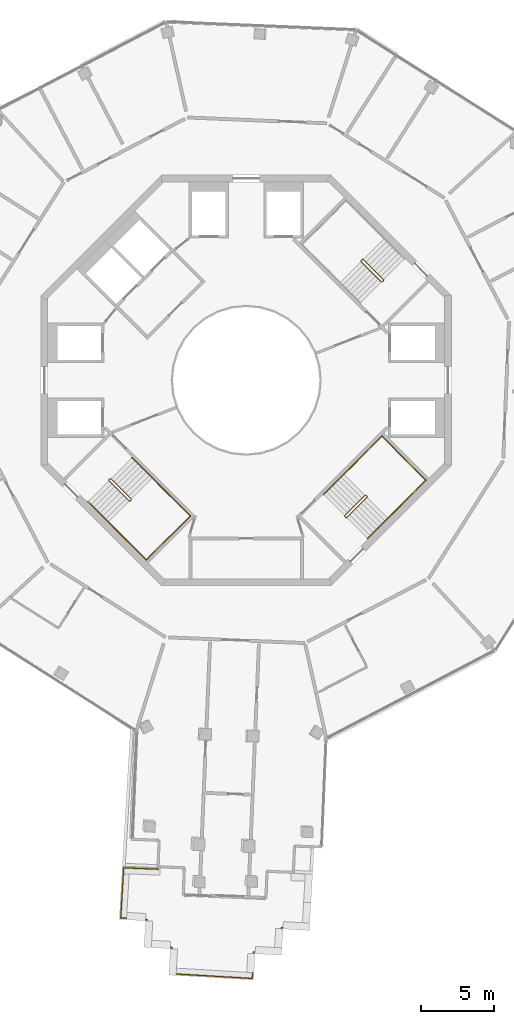
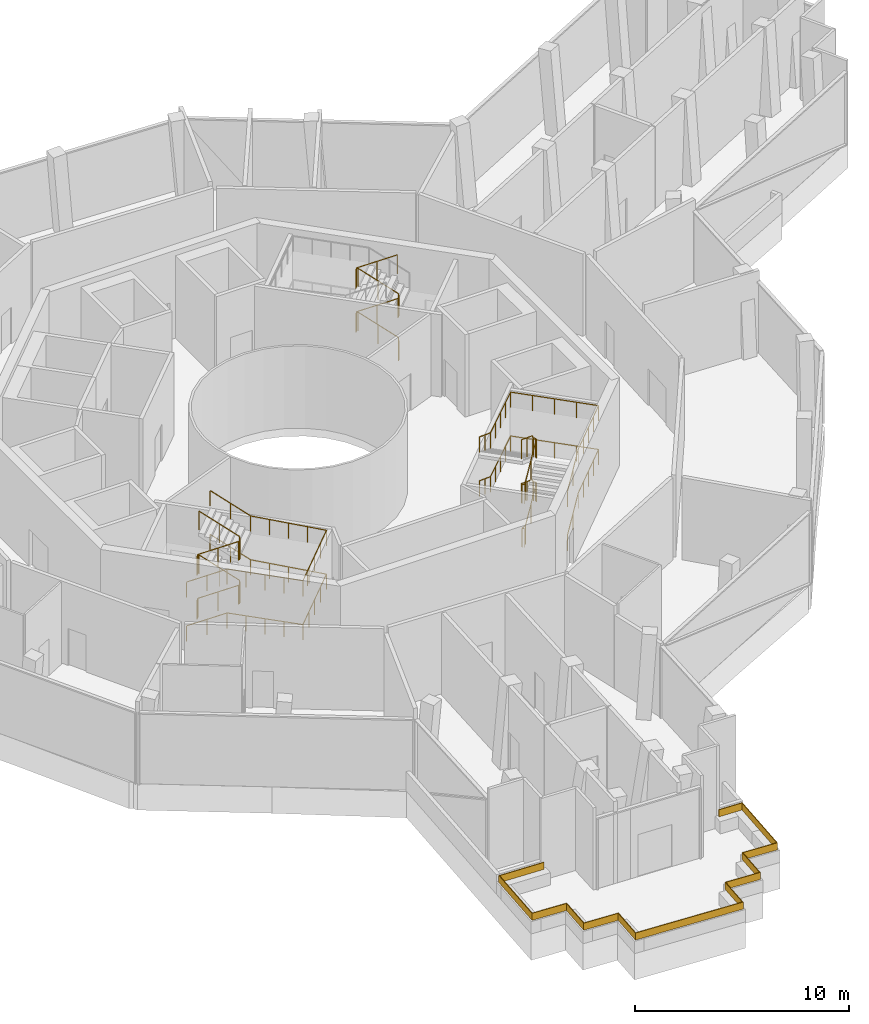
# One storey, part 20 of 21: 8 railings.
"""IFC4 building model written with IfcOpenShell, lengths in metres."""

from ifc_helpers import new_model, si_unit, direction, frame, origin, origin_2d, place, context, subcontext, project, spatial, polyline, circle, outline, extrude, material, layer, layer_set, type_object, element, save


model = new_model("IFC4")

# Units and contexts
model_context = context("Model", 3, precision=1e-05, world=origin(), true_north=direction((0.0, 1.0)))
body_context = subcontext(model_context, "Body", "Model", "MODEL_VIEW")
ifc_project = project(units=[si_unit("LENGTHUNIT", "METRE"), si_unit("AREAUNIT", "SQUARE_METRE"), si_unit("VOLUMEUNIT", "CUBIC_METRE"), si_unit("PLANEANGLEUNIT", "RADIAN"), si_unit("MASSUNIT", "GRAM", prefix="KILO")], contexts=[model_context])

# Site, building, storey
site_placement = place(None, origin())
site = spatial("IfcSite", under=ifc_project, at=site_placement, CompositionType="ELEMENT")
building_placement = place(site_placement, origin())
building = spatial("IfcBuilding", under=site, at=building_placement, Name="Verdalira Terraces Hotel", CompositionType="ELEMENT")
storey_placement = place(building_placement, frame((0.0, 0.0, 269.0)))
storey = spatial("IfcBuildingStorey", under=building, at=storey_placement, Name="L66", CompositionType="ELEMENT", Elevation=269.0)

# Railings
ifc_material_1 = material(Name="Laminated glass", Category="glass")
ifc_layer = layer(ifc_material_1, 0.0400390625)
ifc_layer_set = layer_set([ifc_layer], Name="Balcony glass guard 400")
railing_type_1 = type_object("IfcRailingType", Name="Balcony glass guard 400", PredefinedType="GUARDRAIL", material=ifc_layer_set)
railing_1_placement = place(storey_placement, frame((0.0, 0.0, 0.699951)))
element("IfcRailing", 1, at=railing_1_placement, inside=storey, type_object=railing_type_1, Name="Balcony glass guard", PredefinedType="GUARDRAIL", context=body_context, shape_type="SweptSolid", body=[
    extrude(outline(polyline([(-8.346436, -33.305176), (-8.544922, -36.685547), (-6.747803, -36.791016), (-6.853516, -38.587891), (-5.056396, -38.693359), (-5.161865, -40.490234), (0.388428, -40.816162), (0.493896, -39.019287), (2.290771, -39.124756), (2.39624, -37.327881), (4.193359, -37.43335), (4.297852, -35.65332), (4.404297, -33.8396), (3.201172, -33.789062), (3.202881, -33.749023), (4.446533, -33.80127), (4.337646, -35.655762), (4.230957, -37.475586), (2.433838, -37.370117), (2.328369, -39.166992), (0.531494, -39.061523), (0.426025, -40.858398), (-5.204346, -40.527832), (-5.098877, -38.730957), (-6.895752, -38.625488), (-6.790283, -36.828613), (-8.587158, -36.723145), (-8.384033, -33.263428), (-6.015625, -33.362793), (-6.017334, -33.402588), (-8.346436, -33.305176)])), origin(), (0.0, 0.0, 1.0), 0.400146),
])
ifc_material_2 = material(Name="Stainless steel", Category="steel")
railing_type_2 = type_object("IfcRailingType", Name="Stair guard 1100", PredefinedType="GUARDRAIL", material=ifc_material_2)
railing_2_placement = place(storey_placement, frame((9.369141, 6.78833, 0.0)))
element("IfcRailing", 2, at=railing_2_placement, inside=storey, type_object=railing_type_2, Name="L66 ST1 stair guard 1", PredefinedType="GUARDRAIL", context=body_context, shape_type="SweptSolid", body=[
    extrude(circle(Radius=0.023926, at=origin_2d()), frame((0.0, 0.0, 1.076172), z_axis=(-0.707106781, -0.707106781, 0.0), x_axis=(0.707106781, -0.707106781, 0.0)), (0.0, 0.0, 1.0), 0.100098),
    extrude(circle(Radius=0.023926, at=origin_2d()), frame((-0.070801, -0.070801, 1.076172), z_axis=(0.318519619, 0.635940894, 0.702939849), x_axis=(-0.894118129, 0.447831187, 0.0)), (0.0, 0.0, 1.0), 0.222168),
    extrude(circle(Radius=0.023926, at=origin_2d()), frame((0.0, 0.070557, 1.232422), z_axis=(-0.61747733, 0.61747733, 0.48728174), x_axis=(-0.707106781, -0.707106781, 0.0)), (0.0, 0.0, 1.0), 2.244629),
    extrude(circle(Radius=0.023926, at=origin_2d()), frame((-1.385986, 1.456543, 2.326172), z_axis=(-1.0, 0.0, 0.0), x_axis=(0.0, -1.0, 0.0)), (0.0, 0.0, 1.0), 0.070557),
    extrude(circle(Radius=0.023926, at=origin_2d()), frame((-1.456543, 1.456543, 2.326172), z_axis=(-0.707106781, -0.707106781, 0.0), x_axis=(0.707106781, -0.707106781, 0.0)), (0.0, 0.0, 1.0), 0.100098),
    extrude(circle(Radius=0.023926, at=origin_2d()), frame((-1.527344, 1.385742, 2.326172), z_axis=(0.0, -0.411548567, 0.91138783), x_axis=(1.0, 0.0, 0.0)), (0.0, 0.0, 1.0), 0.171387),
    extrude(circle(Radius=0.023926, at=origin_2d()), frame((-1.527344, 1.315186, 2.482422), z_axis=(0.61747733, -0.61747733, 0.48728174), x_axis=(0.707106781, 0.707106781, 0.0)), (0.0, 0.0, 1.0), 2.244629),
    extrude(circle(Radius=0.023926, at=origin_2d()), frame((-0.141357, -0.070801, 3.576172), z_axis=(1.0, 0.0, 0.0), x_axis=(0.0, 1.0, 0.0)), (0.0, 0.0, 1.0), 0.070557),
    extrude(circle(Radius=0.023926, at=origin_2d()), frame((-0.070801, -0.070801, 3.576172), z_axis=(0.707106781, 0.707106781, 0.0), x_axis=(-0.707106781, 0.707106781, 0.0)), (0.0, 0.0, 1.0), 0.100098),
    extrude(circle(Radius=0.023926, at=origin_2d()), frame((0.0, 0.0, 3.576172), z_axis=(0.0, 0.411548567, 0.91138783), x_axis=(-1.0, 0.0, 0.0)), (0.0, 0.0, 1.0), 0.171387),
    extrude(circle(Radius=0.023926, at=origin_2d()), frame((0.0, 0.070557, 3.732422), z_axis=(-0.61747733, 0.61747733, 0.48728174), x_axis=(-0.707106781, -0.707106781, 0.0)), (0.0, 0.0, 1.0), 2.244629),
    extrude(circle(Radius=0.023926, at=origin_2d()), frame((-1.385986, 1.456543, 4.826172), z_axis=(-1.0, 0.0, 0.0), x_axis=(0.0, -1.0, 0.0)), (0.0, 0.0, 1.0), 0.070557),
    extrude(circle(Radius=0.023926, at=origin_2d()), frame((-1.456543, 1.456543, 4.826172), z_axis=(-0.707106781, -0.707106781, 0.0), x_axis=(0.707106781, -0.707106781, 0.0)), (0.0, 0.0, 1.0), 0.100098),
    extrude(circle(Radius=0.023926, at=origin_2d()), frame((-1.527344, 1.385742, 4.826172), z_axis=(0.0, -0.411548567, 0.91138783), x_axis=(1.0, 0.0, 0.0)), (0.0, 0.0, 1.0), 0.171387),
    extrude(circle(Radius=0.023926, at=origin_2d()), frame((-1.527344, 1.315186, 4.982422), z_axis=(0.61747733, -0.61747733, 0.48728174), x_axis=(0.707106781, 0.707106781, 0.0)), (0.0, 0.0, 1.0), 2.244629),
    extrude(circle(Radius=0.020996, at=origin_2d()), origin(), (0.0, 0.0, 1.0), 1.052002),
    extrude(circle(Radius=0.020996, at=origin_2d()), frame((-0.070801, -0.070801, 0.0)), (0.0, 0.0, 1.0), 1.052002),
    extrude(circle(Radius=0.020996, at=origin_2d()), frame((0.0, 0.070557, 0.15625)), (0.0, 0.0, 1.0), 1.052002),
    extrude(circle(Radius=0.020996, at=origin_2d()), frame((-0.692871, 0.763672, 0.703125)), (0.0, 0.0, 1.0), 1.052002),
    extrude(circle(Radius=0.020996, at=origin_2d()), frame((-1.385986, 1.456543, 1.25)), (0.0, 0.0, 1.0), 1.052002),
    extrude(circle(Radius=0.020996, at=origin_2d()), frame((-1.456543, 1.456543, 1.25)), (0.0, 0.0, 1.0), 1.052002),
    extrude(circle(Radius=0.020996, at=origin_2d()), frame((-1.527344, 1.385742, 1.25)), (0.0, 0.0, 1.0), 1.052002),
    extrude(circle(Radius=0.020996, at=origin_2d()), frame((-1.527344, 1.315186, 1.40625)), (0.0, 0.0, 1.0), 1.052002),
    extrude(circle(Radius=0.020996, at=origin_2d()), frame((-0.834473, 0.62207, 1.953125)), (0.0, 0.0, 1.0), 1.052002),
    extrude(circle(Radius=0.020996, at=origin_2d()), frame((-0.141357, -0.070801, 2.5)), (0.0, 0.0, 1.0), 1.052002),
    extrude(circle(Radius=0.020996, at=origin_2d()), frame((-0.070801, -0.070801, 2.5)), (0.0, 0.0, 1.0), 1.052002),
    extrude(circle(Radius=0.020996, at=origin_2d()), frame((0.0, 0.0, 2.5)), (0.0, 0.0, 1.0), 1.052002),
    extrude(circle(Radius=0.020996, at=origin_2d()), frame((0.0, 0.070557, 2.65625)), (0.0, 0.0, 1.0), 1.052002),
    extrude(circle(Radius=0.020996, at=origin_2d()), frame((-0.692871, 0.763672, 3.203125)), (0.0, 0.0, 1.0), 1.052002),
    extrude(circle(Radius=0.020996, at=origin_2d()), frame((-1.385986, 1.456543, 3.75)), (0.0, 0.0, 1.0), 1.052002),
    extrude(circle(Radius=0.020996, at=origin_2d()), frame((-1.456543, 1.456543, 3.75)), (0.0, 0.0, 1.0), 1.052002),
    extrude(circle(Radius=0.020996, at=origin_2d()), frame((-1.527344, 1.385742, 3.75)), (0.0, 0.0, 1.0), 1.052002),
    extrude(circle(Radius=0.020996, at=origin_2d()), frame((-1.527344, 1.315186, 3.90625)), (0.0, 0.0, 1.0), 1.052002),
    extrude(circle(Radius=0.020996, at=origin_2d()), frame((-0.834473, 0.62207, 4.453125)), (0.0, 0.0, 1.0), 1.052002),
    extrude(circle(Radius=0.020996, at=origin_2d()), frame((-0.141357, -0.070801, 5.0)), (0.0, 0.0, 1.0), 1.052002),
])
railing_3_placement = place(storey_placement, frame((-9.369141, -6.78833, 0.0)))
element("IfcRailing", 3, at=railing_3_placement, inside=storey, type_object=railing_type_2, Name="L66 ST2 stair guard 1", PredefinedType="GUARDRAIL", context=body_context, shape_type="SweptSolid", body=[
    extrude(circle(Radius=0.023926, at=origin_2d()), frame((0.0, 0.0, 1.076172), z_axis=(0.707106781, 0.707106781, 0.0), x_axis=(-0.707106781, 0.707106781, 0.0)), (0.0, 0.0, 1.0), 0.100098),
    extrude(circle(Radius=0.023926, at=origin_2d()), frame((0.070801, 0.070801, 1.076172), z_axis=(-0.318519619, -0.635940894, 0.702939849), x_axis=(0.894118129, -0.447831187, 0.0)), (0.0, 0.0, 1.0), 0.222168),
    extrude(circle(Radius=0.023926, at=origin_2d()), frame((0.0, -0.070557, 1.232422), z_axis=(0.61747733, -0.61747733, 0.48728174), x_axis=(0.707106781, 0.707106781, 0.0)), (0.0, 0.0, 1.0), 2.244629),
    extrude(circle(Radius=0.023926, at=origin_2d()), frame((1.385986, -1.456543, 2.326172), z_axis=(1.0, 0.0, 0.0), x_axis=(0.0, 1.0, 0.0)), (0.0, 0.0, 1.0), 0.070557),
    extrude(circle(Radius=0.023926, at=origin_2d()), frame((1.456543, -1.456543, 2.326172), z_axis=(0.707106781, 0.707106781, 0.0), x_axis=(-0.707106781, 0.707106781, 0.0)), (0.0, 0.0, 1.0), 0.100098),
    extrude(circle(Radius=0.023926, at=origin_2d()), frame((1.527344, -1.385742, 2.326172), z_axis=(0.0, 0.411548567, 0.91138783), x_axis=(-1.0, 0.0, 0.0)), (0.0, 0.0, 1.0), 0.171387),
    extrude(circle(Radius=0.023926, at=origin_2d()), frame((1.527344, -1.315186, 2.482422), z_axis=(-0.61747733, 0.61747733, 0.48728174), x_axis=(-0.707106781, -0.707106781, 0.0)), (0.0, 0.0, 1.0), 2.244629),
    extrude(circle(Radius=0.023926, at=origin_2d()), frame((0.141357, 0.070801, 3.576172), z_axis=(-1.0, 0.0, 0.0), x_axis=(0.0, -1.0, 0.0)), (0.0, 0.0, 1.0), 0.070557),
    extrude(circle(Radius=0.023926, at=origin_2d()), frame((0.070801, 0.070801, 3.576172), z_axis=(-0.707106781, -0.707106781, 0.0), x_axis=(0.707106781, -0.707106781, 0.0)), (0.0, 0.0, 1.0), 0.100098),
    extrude(circle(Radius=0.023926, at=origin_2d()), frame((0.0, 0.0, 3.576172), z_axis=(0.0, -0.411548567, 0.91138783), x_axis=(1.0, 0.0, 0.0)), (0.0, 0.0, 1.0), 0.171387),
    extrude(circle(Radius=0.023926, at=origin_2d()), frame((0.0, -0.070557, 3.732422), z_axis=(0.61747733, -0.61747733, 0.48728174), x_axis=(0.707106781, 0.707106781, 0.0)), (0.0, 0.0, 1.0), 2.244629),
    extrude(circle(Radius=0.023926, at=origin_2d()), frame((1.385986, -1.456543, 4.826172), z_axis=(1.0, 0.0, 0.0), x_axis=(0.0, 1.0, 0.0)), (0.0, 0.0, 1.0), 0.070557),
    extrude(circle(Radius=0.023926, at=origin_2d()), frame((1.456543, -1.456543, 4.826172), z_axis=(0.707106781, 0.707106781, 0.0), x_axis=(-0.707106781, 0.707106781, 0.0)), (0.0, 0.0, 1.0), 0.100098),
    extrude(circle(Radius=0.023926, at=origin_2d()), frame((1.527344, -1.385742, 4.826172), z_axis=(0.0, 0.411548567, 0.91138783), x_axis=(-1.0, 0.0, 0.0)), (0.0, 0.0, 1.0), 0.171387),
    extrude(circle(Radius=0.023926, at=origin_2d()), frame((1.527344, -1.315186, 4.982422), z_axis=(-0.61747733, 0.61747733, 0.48728174), x_axis=(-0.707106781, -0.707106781, 0.0)), (0.0, 0.0, 1.0), 2.244629),
    extrude(circle(Radius=0.020996, at=origin_2d()), origin(), (0.0, 0.0, 1.0), 1.052002),
    extrude(circle(Radius=0.020996, at=origin_2d()), frame((0.070801, 0.070801, 0.0)), (0.0, 0.0, 1.0), 1.052002),
    extrude(circle(Radius=0.020996, at=origin_2d()), frame((0.0, -0.070557, 0.15625)), (0.0, 0.0, 1.0), 1.052002),
    extrude(circle(Radius=0.020996, at=origin_2d()), frame((0.692871, -0.763672, 0.703125)), (0.0, 0.0, 1.0), 1.052002),
    extrude(circle(Radius=0.020996, at=origin_2d()), frame((1.385986, -1.456543, 1.25)), (0.0, 0.0, 1.0), 1.052002),
    extrude(circle(Radius=0.020996, at=origin_2d()), frame((1.456543, -1.456543, 1.25)), (0.0, 0.0, 1.0), 1.052002),
    extrude(circle(Radius=0.020996, at=origin_2d()), frame((1.527344, -1.385742, 1.25)), (0.0, 0.0, 1.0), 1.052002),
    extrude(circle(Radius=0.020996, at=origin_2d()), frame((1.527344, -1.315186, 1.40625)), (0.0, 0.0, 1.0), 1.052002),
    extrude(circle(Radius=0.020996, at=origin_2d()), frame((0.834473, -0.62207, 1.953125)), (0.0, 0.0, 1.0), 1.052002),
    extrude(circle(Radius=0.020996, at=origin_2d()), frame((0.141357, 0.070801, 2.5)), (0.0, 0.0, 1.0), 1.052002),
    extrude(circle(Radius=0.020996, at=origin_2d()), frame((0.070801, 0.070801, 2.5)), (0.0, 0.0, 1.0), 1.052002),
    extrude(circle(Radius=0.020996, at=origin_2d()), frame((0.0, 0.0, 2.5)), (0.0, 0.0, 1.0), 1.052002),
    extrude(circle(Radius=0.020996, at=origin_2d()), frame((0.0, -0.070557, 2.65625)), (0.0, 0.0, 1.0), 1.052002),
    extrude(circle(Radius=0.020996, at=origin_2d()), frame((0.692871, -0.763672, 3.203125)), (0.0, 0.0, 1.0), 1.052002),
    extrude(circle(Radius=0.020996, at=origin_2d()), frame((1.385986, -1.456543, 3.75)), (0.0, 0.0, 1.0), 1.052002),
    extrude(circle(Radius=0.020996, at=origin_2d()), frame((1.456543, -1.456543, 3.75)), (0.0, 0.0, 1.0), 1.052002),
    extrude(circle(Radius=0.020996, at=origin_2d()), frame((1.527344, -1.385742, 3.75)), (0.0, 0.0, 1.0), 1.052002),
    extrude(circle(Radius=0.020996, at=origin_2d()), frame((1.527344, -1.315186, 3.90625)), (0.0, 0.0, 1.0), 1.052002),
    extrude(circle(Radius=0.020996, at=origin_2d()), frame((0.834473, -0.62207, 4.453125)), (0.0, 0.0, 1.0), 1.052002),
    extrude(circle(Radius=0.020996, at=origin_2d()), frame((0.141357, 0.070801, 5.0)), (0.0, 0.0, 1.0), 1.052002),
])
railing_4_placement = place(storey_placement, frame((6.78833, -9.369141, 0.0)))
element("IfcRailing", 4, at=railing_4_placement, inside=storey, type_object=railing_type_2, Name="L66 ST3 stair guard 1", PredefinedType="GUARDRAIL", context=body_context, shape_type="SweptSolid", body=[
    extrude(circle(Radius=0.023926, at=origin_2d()), frame((0.0, 0.0, 1.076172), z_axis=(-0.707106781, 0.707106781, 0.0), x_axis=(-0.707106781, -0.707106781, 0.0)), (0.0, 0.0, 1.0), 0.100098),
    extrude(circle(Radius=0.023926, at=origin_2d()), frame((-0.070801, 0.070801, 1.076172), z_axis=(0.635940894, -0.318519619, 0.702939849), x_axis=(0.447831187, 0.894118129, 0.0)), (0.0, 0.0, 1.0), 0.222168),
    extrude(circle(Radius=0.023926, at=origin_2d()), frame((0.070557, 0.0, 1.232422), z_axis=(0.61747733, 0.61747733, 0.48728174), x_axis=(-0.707106781, 0.707106781, 0.0)), (0.0, 0.0, 1.0), 2.244629),
    extrude(circle(Radius=0.023926, at=origin_2d()), frame((1.456543, 1.385986, 2.326172), z_axis=(0.0, 1.0, 0.0), x_axis=(-1.0, 0.0, 0.0)), (0.0, 0.0, 1.0), 0.070557),
    extrude(circle(Radius=0.023926, at=origin_2d()), frame((1.456543, 1.456543, 2.326172), z_axis=(-0.707106781, 0.707106781, 0.0), x_axis=(-0.707106781, -0.707106781, 0.0)), (0.0, 0.0, 1.0), 0.100098),
    extrude(circle(Radius=0.023926, at=origin_2d()), frame((1.385742, 1.527344, 2.326172), z_axis=(-0.411548567, 0.0, 0.91138783), x_axis=(0.0, -1.0, 0.0)), (0.0, 0.0, 1.0), 0.171387),
    extrude(circle(Radius=0.023926, at=origin_2d()), frame((1.315186, 1.527344, 2.482422), z_axis=(-0.61747733, -0.61747733, 0.48728174), x_axis=(0.707106781, -0.707106781, 0.0)), (0.0, 0.0, 1.0), 2.244629),
    extrude(circle(Radius=0.023926, at=origin_2d()), frame((-0.070801, 0.141357, 3.576172), z_axis=(0.0, -1.0, 0.0), x_axis=(1.0, 0.0, 0.0)), (0.0, 0.0, 1.0), 0.070557),
    extrude(circle(Radius=0.023926, at=origin_2d()), frame((-0.070801, 0.070801, 3.576172), z_axis=(0.707106781, -0.707106781, 0.0), x_axis=(0.707106781, 0.707106781, 0.0)), (0.0, 0.0, 1.0), 0.100098),
    extrude(circle(Radius=0.023926, at=origin_2d()), frame((0.0, 0.0, 3.576172), z_axis=(0.411548567, 0.0, 0.91138783), x_axis=(0.0, 1.0, 0.0)), (0.0, 0.0, 1.0), 0.171387),
    extrude(circle(Radius=0.023926, at=origin_2d()), frame((0.070557, 0.0, 3.732422), z_axis=(0.61747733, 0.61747733, 0.48728174), x_axis=(-0.707106781, 0.707106781, 0.0)), (0.0, 0.0, 1.0), 2.244629),
    extrude(circle(Radius=0.023926, at=origin_2d()), frame((1.456543, 1.385986, 4.826172), z_axis=(0.0, 1.0, 0.0), x_axis=(-1.0, 0.0, 0.0)), (0.0, 0.0, 1.0), 0.070557),
    extrude(circle(Radius=0.023926, at=origin_2d()), frame((1.456543, 1.456543, 4.826172), z_axis=(-0.707106781, 0.707106781, 0.0), x_axis=(-0.707106781, -0.707106781, 0.0)), (0.0, 0.0, 1.0), 0.100098),
    extrude(circle(Radius=0.023926, at=origin_2d()), frame((1.385742, 1.527344, 4.826172), z_axis=(-0.411548567, 0.0, 0.91138783), x_axis=(0.0, -1.0, 0.0)), (0.0, 0.0, 1.0), 0.171387),
    extrude(circle(Radius=0.023926, at=origin_2d()), frame((1.315186, 1.527344, 4.982422), z_axis=(-0.61747733, -0.61747733, 0.48728174), x_axis=(0.707106781, -0.707106781, 0.0)), (0.0, 0.0, 1.0), 2.244629),
    extrude(circle(Radius=0.020996, at=origin_2d()), origin(), (0.0, 0.0, 1.0), 1.052002),
    extrude(circle(Radius=0.020996, at=origin_2d()), frame((-0.070801, 0.070801, 0.0)), (0.0, 0.0, 1.0), 1.052002),
    extrude(circle(Radius=0.020996, at=origin_2d()), frame((0.070557, 0.0, 0.15625)), (0.0, 0.0, 1.0), 1.052002),
    extrude(circle(Radius=0.020996, at=origin_2d()), frame((0.763672, 0.692871, 0.703125)), (0.0, 0.0, 1.0), 1.052002),
    extrude(circle(Radius=0.020996, at=origin_2d()), frame((1.456543, 1.385986, 1.25)), (0.0, 0.0, 1.0), 1.052002),
    extrude(circle(Radius=0.020996, at=origin_2d()), frame((1.456543, 1.456543, 1.25)), (0.0, 0.0, 1.0), 1.052002),
    extrude(circle(Radius=0.020996, at=origin_2d()), frame((1.385742, 1.527344, 1.25)), (0.0, 0.0, 1.0), 1.052002),
    extrude(circle(Radius=0.020996, at=origin_2d()), frame((1.315186, 1.527344, 1.40625)), (0.0, 0.0, 1.0), 1.052002),
    extrude(circle(Radius=0.020996, at=origin_2d()), frame((0.62207, 0.834473, 1.953125)), (0.0, 0.0, 1.0), 1.052002),
    extrude(circle(Radius=0.020996, at=origin_2d()), frame((-0.070801, 0.141357, 2.5)), (0.0, 0.0, 1.0), 1.052002),
    extrude(circle(Radius=0.020996, at=origin_2d()), frame((-0.070801, 0.070801, 2.5)), (0.0, 0.0, 1.0), 1.052002),
    extrude(circle(Radius=0.020996, at=origin_2d()), frame((0.0, 0.0, 2.5)), (0.0, 0.0, 1.0), 1.052002),
    extrude(circle(Radius=0.020996, at=origin_2d()), frame((0.070557, 0.0, 2.65625)), (0.0, 0.0, 1.0), 1.052002),
    extrude(circle(Radius=0.020996, at=origin_2d()), frame((0.763672, 0.692871, 3.203125)), (0.0, 0.0, 1.0), 1.052002),
    extrude(circle(Radius=0.020996, at=origin_2d()), frame((1.456543, 1.385986, 3.75)), (0.0, 0.0, 1.0), 1.052002),
    extrude(circle(Radius=0.020996, at=origin_2d()), frame((1.456543, 1.456543, 3.75)), (0.0, 0.0, 1.0), 1.052002),
    extrude(circle(Radius=0.020996, at=origin_2d()), frame((1.385742, 1.527344, 3.75)), (0.0, 0.0, 1.0), 1.052002),
    extrude(circle(Radius=0.020996, at=origin_2d()), frame((1.315186, 1.527344, 3.90625)), (0.0, 0.0, 1.0), 1.052002),
    extrude(circle(Radius=0.020996, at=origin_2d()), frame((0.62207, 0.834473, 4.453125)), (0.0, 0.0, 1.0), 1.052002),
    extrude(circle(Radius=0.020996, at=origin_2d()), frame((-0.070801, 0.141357, 5.0)), (0.0, 0.0, 1.0), 1.052002),
])
ifc_material_3 = material(Name="Stainless steel", Category="steel")
railing_type_3 = type_object("IfcRailingType", Name="Stair handrail 900", PredefinedType="HANDRAIL", material=ifc_material_3)
railing_5_placement = place(storey_placement, frame((-10.801025, -8.290771, 0.15625)))
element("IfcRailing", 5, at=railing_5_placement, inside=storey, type_object=railing_type_3, Name="L66 ST2 stair handrail 1", PredefinedType="HANDRAIL", context=body_context, shape_type="SweptSolid", body=[
    extrude(circle(Radius=0.023926, at=origin_2d()), frame((0.0, 0.0, 0.875977), z_axis=(0.61747733, -0.61747733, 0.48728174), x_axis=(0.707106781, 0.707106781, 0.0)), (0.0, 0.0, 1.0), 2.244629),
    extrude(circle(Radius=0.023926, at=origin_2d()), frame((1.385986, -1.385986, 1.969727), z_axis=(0.707106781, -0.707106781, 0.0), x_axis=(0.707106781, 0.707106781, 0.0)), (0.0, 0.0, 1.0), 3.665039),
    extrude(circle(Radius=0.023926, at=origin_2d()), frame((3.977539, -3.977539, 1.969727), z_axis=(0.707106781, 0.707106781, 0.0), x_axis=(-0.707106781, 0.707106781, 0.0)), (0.0, 0.0, 1.0), 4.25),
    extrude(circle(Radius=0.023926, at=origin_2d()), frame((6.982666, -0.972412, 1.969727), z_axis=(-0.70646505, 0.70646505, 0.042594219), x_axis=(-0.707106781, -0.707106781, 0.0)), (0.0, 0.0, 1.0), 3.668457),
    extrude(circle(Radius=0.023926, at=origin_2d()), frame((4.391113, 1.619141, 2.125977), z_axis=(-0.61747733, 0.61747733, 0.48728174), x_axis=(-0.707106781, -0.707106781, 0.0)), (0.0, 0.0, 1.0), 2.244629),
    extrude(circle(Radius=0.020996, at=origin_2d()), origin(), (0.0, 0.0, 1.0), 0.851807),
    extrude(circle(Radius=0.020996, at=origin_2d()), frame((0.692871, -0.692871, 0.546875)), (0.0, 0.0, 1.0), 0.851807),
    extrude(circle(Radius=0.020996, at=origin_2d()), frame((1.385986, -1.385986, 1.09375)), (0.0, 0.0, 1.0), 0.851807),
    extrude(circle(Radius=0.020996, at=origin_2d()), frame((2.033936, -2.033936, 1.09375)), (0.0, 0.0, 1.0), 0.851807),
    extrude(circle(Radius=0.020996, at=origin_2d()), frame((2.681641, -2.681641, 1.09375)), (0.0, 0.0, 1.0), 0.851807),
    extrude(circle(Radius=0.020996, at=origin_2d()), frame((3.32959, -3.32959, 1.09375)), (0.0, 0.0, 1.0), 0.851807),
    extrude(circle(Radius=0.020996, at=origin_2d()), frame((3.977539, -3.977539, 1.09375)), (0.0, 0.0, 1.0), 0.851807),
    extrude(circle(Radius=0.020996, at=origin_2d()), frame((4.72876, -3.226318, 1.09375)), (0.0, 0.0, 1.0), 0.851807),
    extrude(circle(Radius=0.020996, at=origin_2d()), frame((5.47998, -2.475098, 1.09375)), (0.0, 0.0, 1.0), 0.851807),
    extrude(circle(Radius=0.020996, at=origin_2d()), frame((6.231445, -1.723633, 1.09375)), (0.0, 0.0, 1.0), 0.851807),
    extrude(circle(Radius=0.020996, at=origin_2d()), frame((6.982666, -0.972412, 1.09375)), (0.0, 0.0, 1.0), 0.851807),
    extrude(circle(Radius=0.020996, at=origin_2d()), frame((6.334717, -0.324463, 1.132812)), (0.0, 0.0, 1.0), 0.851807),
    extrude(circle(Radius=0.020996, at=origin_2d()), frame((5.687012, 0.323242, 1.171875)), (0.0, 0.0, 1.0), 0.851807),
    extrude(circle(Radius=0.020996, at=origin_2d()), frame((5.039062, 0.971191, 1.210938)), (0.0, 0.0, 1.0), 0.851807),
    extrude(circle(Radius=0.020996, at=origin_2d()), frame((4.391113, 1.619141, 1.25)), (0.0, 0.0, 1.0), 0.851807),
    extrude(circle(Radius=0.020996, at=origin_2d()), frame((3.698242, 2.312012, 1.796875)), (0.0, 0.0, 1.0), 0.851807),
    extrude(circle(Radius=0.020996, at=origin_2d()), frame((3.005127, 3.005127, 2.34375)), (0.0, 0.0, 1.0), 0.851807),
])
railing_6_placement = place(storey_placement, frame((-10.801025, -8.290771, 2.65625)))
element("IfcRailing", 6, at=railing_6_placement, inside=storey, type_object=railing_type_3, Name="L66 ST2 stair handrail 2", PredefinedType="HANDRAIL", context=body_context, shape_type="SweptSolid", body=[
    extrude(circle(Radius=0.023926, at=origin_2d()), frame((0.0, 0.0, 0.875977), z_axis=(0.61747733, -0.61747733, 0.48728174), x_axis=(0.707106781, 0.707106781, 0.0)), (0.0, 0.0, 1.0), 2.244629),
    extrude(circle(Radius=0.023926, at=origin_2d()), frame((1.385986, -1.385986, 1.969727), z_axis=(0.707106781, -0.707106781, 0.0), x_axis=(0.707106781, 0.707106781, 0.0)), (0.0, 0.0, 1.0), 3.665039),
    extrude(circle(Radius=0.023926, at=origin_2d()), frame((3.977539, -3.977539, 1.969727), z_axis=(0.707106781, 0.707106781, 0.0), x_axis=(-0.707106781, 0.707106781, 0.0)), (0.0, 0.0, 1.0), 4.25),
    extrude(circle(Radius=0.023926, at=origin_2d()), frame((6.982666, -0.972412, 1.969727), z_axis=(-0.70646505, 0.70646505, 0.042594219), x_axis=(-0.707106781, -0.707106781, 0.0)), (0.0, 0.0, 1.0), 3.668457),
    extrude(circle(Radius=0.023926, at=origin_2d()), frame((4.391113, 1.619141, 2.125977), z_axis=(-0.61747733, 0.61747733, 0.48728174), x_axis=(-0.707106781, -0.707106781, 0.0)), (0.0, 0.0, 1.0), 2.244629),
    extrude(circle(Radius=0.020996, at=origin_2d()), origin(), (0.0, 0.0, 1.0), 0.851807),
    extrude(circle(Radius=0.020996, at=origin_2d()), frame((0.692871, -0.692871, 0.546875)), (0.0, 0.0, 1.0), 0.851807),
    extrude(circle(Radius=0.020996, at=origin_2d()), frame((1.385986, -1.385986, 1.09375)), (0.0, 0.0, 1.0), 0.851807),
    extrude(circle(Radius=0.020996, at=origin_2d()), frame((2.033936, -2.033936, 1.09375)), (0.0, 0.0, 1.0), 0.851807),
    extrude(circle(Radius=0.020996, at=origin_2d()), frame((2.681641, -2.681641, 1.09375)), (0.0, 0.0, 1.0), 0.851807),
    extrude(circle(Radius=0.020996, at=origin_2d()), frame((3.32959, -3.32959, 1.09375)), (0.0, 0.0, 1.0), 0.851807),
    extrude(circle(Radius=0.020996, at=origin_2d()), frame((3.977539, -3.977539, 1.09375)), (0.0, 0.0, 1.0), 0.851807),
    extrude(circle(Radius=0.020996, at=origin_2d()), frame((4.72876, -3.226318, 1.09375)), (0.0, 0.0, 1.0), 0.851807),
    extrude(circle(Radius=0.020996, at=origin_2d()), frame((5.47998, -2.475098, 1.09375)), (0.0, 0.0, 1.0), 0.851807),
    extrude(circle(Radius=0.020996, at=origin_2d()), frame((6.231445, -1.723633, 1.09375)), (0.0, 0.0, 1.0), 0.851807),
    extrude(circle(Radius=0.020996, at=origin_2d()), frame((6.982666, -0.972412, 1.09375)), (0.0, 0.0, 1.0), 0.851807),
    extrude(circle(Radius=0.020996, at=origin_2d()), frame((6.334717, -0.324463, 1.132812)), (0.0, 0.0, 1.0), 0.851807),
    extrude(circle(Radius=0.020996, at=origin_2d()), frame((5.687012, 0.323242, 1.171875)), (0.0, 0.0, 1.0), 0.851807),
    extrude(circle(Radius=0.020996, at=origin_2d()), frame((5.039062, 0.971191, 1.210938)), (0.0, 0.0, 1.0), 0.851807),
    extrude(circle(Radius=0.020996, at=origin_2d()), frame((4.391113, 1.619141, 1.25)), (0.0, 0.0, 1.0), 0.851807),
    extrude(circle(Radius=0.020996, at=origin_2d()), frame((3.698242, 2.312012, 1.796875)), (0.0, 0.0, 1.0), 0.851807),
    extrude(circle(Radius=0.020996, at=origin_2d()), frame((3.005127, 3.005127, 2.34375)), (0.0, 0.0, 1.0), 0.851807),
])
railing_7_placement = place(storey_placement, frame((8.290771, -10.801025, 0.15625)))
element("IfcRailing", 7, at=railing_7_placement, inside=storey, type_object=railing_type_3, Name="L66 ST3 stair handrail 1", PredefinedType="HANDRAIL", context=body_context, shape_type="SweptSolid", body=[
    extrude(circle(Radius=0.023926, at=origin_2d()), frame((0.0, 0.0, 0.875977), z_axis=(0.61747733, 0.61747733, 0.48728174), x_axis=(-0.707106781, 0.707106781, 0.0)), (0.0, 0.0, 1.0), 2.244629),
    extrude(circle(Radius=0.023926, at=origin_2d()), frame((1.385986, 1.385986, 1.969727), z_axis=(0.707106781, 0.707106781, 0.0), x_axis=(-0.707106781, 0.707106781, 0.0)), (0.0, 0.0, 1.0), 3.665039),
    extrude(circle(Radius=0.023926, at=origin_2d()), frame((3.977539, 3.977539, 1.969727), z_axis=(-0.707106781, 0.707106781, 0.0), x_axis=(-0.707106781, -0.707106781, 0.0)), (0.0, 0.0, 1.0), 4.25),
    extrude(circle(Radius=0.023926, at=origin_2d()), frame((0.972412, 6.982666, 1.969727), z_axis=(-0.70646505, -0.70646505, 0.042594219), x_axis=(0.707106781, -0.707106781, 0.0)), (0.0, 0.0, 1.0), 3.668457),
    extrude(circle(Radius=0.023926, at=origin_2d()), frame((-1.619141, 4.391113, 2.125977), z_axis=(-0.61747733, -0.61747733, 0.48728174), x_axis=(0.707106781, -0.707106781, 0.0)), (0.0, 0.0, 1.0), 2.244629),
    extrude(circle(Radius=0.020996, at=origin_2d()), origin(), (0.0, 0.0, 1.0), 0.851807),
    extrude(circle(Radius=0.020996, at=origin_2d()), frame((0.692871, 0.692871, 0.546875)), (0.0, 0.0, 1.0), 0.851807),
    extrude(circle(Radius=0.020996, at=origin_2d()), frame((1.385986, 1.385986, 1.09375)), (0.0, 0.0, 1.0), 0.851807),
    extrude(circle(Radius=0.020996, at=origin_2d()), frame((2.033936, 2.033936, 1.09375)), (0.0, 0.0, 1.0), 0.851807),
    extrude(circle(Radius=0.020996, at=origin_2d()), frame((2.681641, 2.681641, 1.09375)), (0.0, 0.0, 1.0), 0.851807),
    extrude(circle(Radius=0.020996, at=origin_2d()), frame((3.32959, 3.32959, 1.09375)), (0.0, 0.0, 1.0), 0.851807),
    extrude(circle(Radius=0.020996, at=origin_2d()), frame((3.977539, 3.977539, 1.09375)), (0.0, 0.0, 1.0), 0.851807),
    extrude(circle(Radius=0.020996, at=origin_2d()), frame((3.226318, 4.72876, 1.09375)), (0.0, 0.0, 1.0), 0.851807),
    extrude(circle(Radius=0.020996, at=origin_2d()), frame((2.475098, 5.47998, 1.09375)), (0.0, 0.0, 1.0), 0.851807),
    extrude(circle(Radius=0.020996, at=origin_2d()), frame((1.723633, 6.231445, 1.09375)), (0.0, 0.0, 1.0), 0.851807),
    extrude(circle(Radius=0.020996, at=origin_2d()), frame((0.972412, 6.982666, 1.09375)), (0.0, 0.0, 1.0), 0.851807),
    extrude(circle(Radius=0.020996, at=origin_2d()), frame((0.324463, 6.334717, 1.132812)), (0.0, 0.0, 1.0), 0.851807),
    extrude(circle(Radius=0.020996, at=origin_2d()), frame((-0.323242, 5.687012, 1.171875)), (0.0, 0.0, 1.0), 0.851807),
    extrude(circle(Radius=0.020996, at=origin_2d()), frame((-0.971191, 5.039062, 1.210938)), (0.0, 0.0, 1.0), 0.851807),
    extrude(circle(Radius=0.020996, at=origin_2d()), frame((-1.619141, 4.391113, 1.25)), (0.0, 0.0, 1.0), 0.851807),
    extrude(circle(Radius=0.020996, at=origin_2d()), frame((-2.312012, 3.698242, 1.796875)), (0.0, 0.0, 1.0), 0.851807),
    extrude(circle(Radius=0.020996, at=origin_2d()), frame((-3.005127, 3.005127, 2.34375)), (0.0, 0.0, 1.0), 0.851807),
])
railing_8_placement = place(storey_placement, frame((8.290771, -10.801025, 2.65625)))
element("IfcRailing", 8, at=railing_8_placement, inside=storey, type_object=railing_type_3, Name="L66 ST3 stair handrail 2", PredefinedType="HANDRAIL", context=body_context, shape_type="SweptSolid", body=[
    extrude(circle(Radius=0.023926, at=origin_2d()), frame((0.0, 0.0, 0.875977), z_axis=(0.61747733, 0.61747733, 0.48728174), x_axis=(-0.707106781, 0.707106781, 0.0)), (0.0, 0.0, 1.0), 2.244629),
    extrude(circle(Radius=0.023926, at=origin_2d()), frame((1.385986, 1.385986, 1.969727), z_axis=(0.707106781, 0.707106781, 0.0), x_axis=(-0.707106781, 0.707106781, 0.0)), (0.0, 0.0, 1.0), 3.665039),
    extrude(circle(Radius=0.023926, at=origin_2d()), frame((3.977539, 3.977539, 1.969727), z_axis=(-0.707106781, 0.707106781, 0.0), x_axis=(-0.707106781, -0.707106781, 0.0)), (0.0, 0.0, 1.0), 4.25),
    extrude(circle(Radius=0.023926, at=origin_2d()), frame((0.972412, 6.982666, 1.969727), z_axis=(-0.70646505, -0.70646505, 0.042594219), x_axis=(0.707106781, -0.707106781, 0.0)), (0.0, 0.0, 1.0), 3.668457),
    extrude(circle(Radius=0.023926, at=origin_2d()), frame((-1.619141, 4.391113, 2.125977), z_axis=(-0.61747733, -0.61747733, 0.48728174), x_axis=(0.707106781, -0.707106781, 0.0)), (0.0, 0.0, 1.0), 2.244629),
    extrude(circle(Radius=0.020996, at=origin_2d()), origin(), (0.0, 0.0, 1.0), 0.851807),
    extrude(circle(Radius=0.020996, at=origin_2d()), frame((0.692871, 0.692871, 0.546875)), (0.0, 0.0, 1.0), 0.851807),
    extrude(circle(Radius=0.020996, at=origin_2d()), frame((1.385986, 1.385986, 1.09375)), (0.0, 0.0, 1.0), 0.851807),
    extrude(circle(Radius=0.020996, at=origin_2d()), frame((2.033936, 2.033936, 1.09375)), (0.0, 0.0, 1.0), 0.851807),
    extrude(circle(Radius=0.020996, at=origin_2d()), frame((2.681641, 2.681641, 1.09375)), (0.0, 0.0, 1.0), 0.851807),
    extrude(circle(Radius=0.020996, at=origin_2d()), frame((3.32959, 3.32959, 1.09375)), (0.0, 0.0, 1.0), 0.851807),
    extrude(circle(Radius=0.020996, at=origin_2d()), frame((3.977539, 3.977539, 1.09375)), (0.0, 0.0, 1.0), 0.851807),
    extrude(circle(Radius=0.020996, at=origin_2d()), frame((3.226318, 4.72876, 1.09375)), (0.0, 0.0, 1.0), 0.851807),
    extrude(circle(Radius=0.020996, at=origin_2d()), frame((2.475098, 5.47998, 1.09375)), (0.0, 0.0, 1.0), 0.851807),
    extrude(circle(Radius=0.020996, at=origin_2d()), frame((1.723633, 6.231445, 1.09375)), (0.0, 0.0, 1.0), 0.851807),
    extrude(circle(Radius=0.020996, at=origin_2d()), frame((0.972412, 6.982666, 1.09375)), (0.0, 0.0, 1.0), 0.851807),
    extrude(circle(Radius=0.020996, at=origin_2d()), frame((0.324463, 6.334717, 1.132812)), (0.0, 0.0, 1.0), 0.851807),
    extrude(circle(Radius=0.020996, at=origin_2d()), frame((-0.323242, 5.687012, 1.171875)), (0.0, 0.0, 1.0), 0.851807),
    extrude(circle(Radius=0.020996, at=origin_2d()), frame((-0.971191, 5.039062, 1.210938)), (0.0, 0.0, 1.0), 0.851807),
    extrude(circle(Radius=0.020996, at=origin_2d()), frame((-1.619141, 4.391113, 1.25)), (0.0, 0.0, 1.0), 0.851807),
    extrude(circle(Radius=0.020996, at=origin_2d()), frame((-2.312012, 3.698242, 1.796875)), (0.0, 0.0, 1.0), 0.851807),
    extrude(circle(Radius=0.020996, at=origin_2d()), frame((-3.005127, 3.005127, 2.34375)), (0.0, 0.0, 1.0), 0.851807),
])

save(model, "model.ifc")
